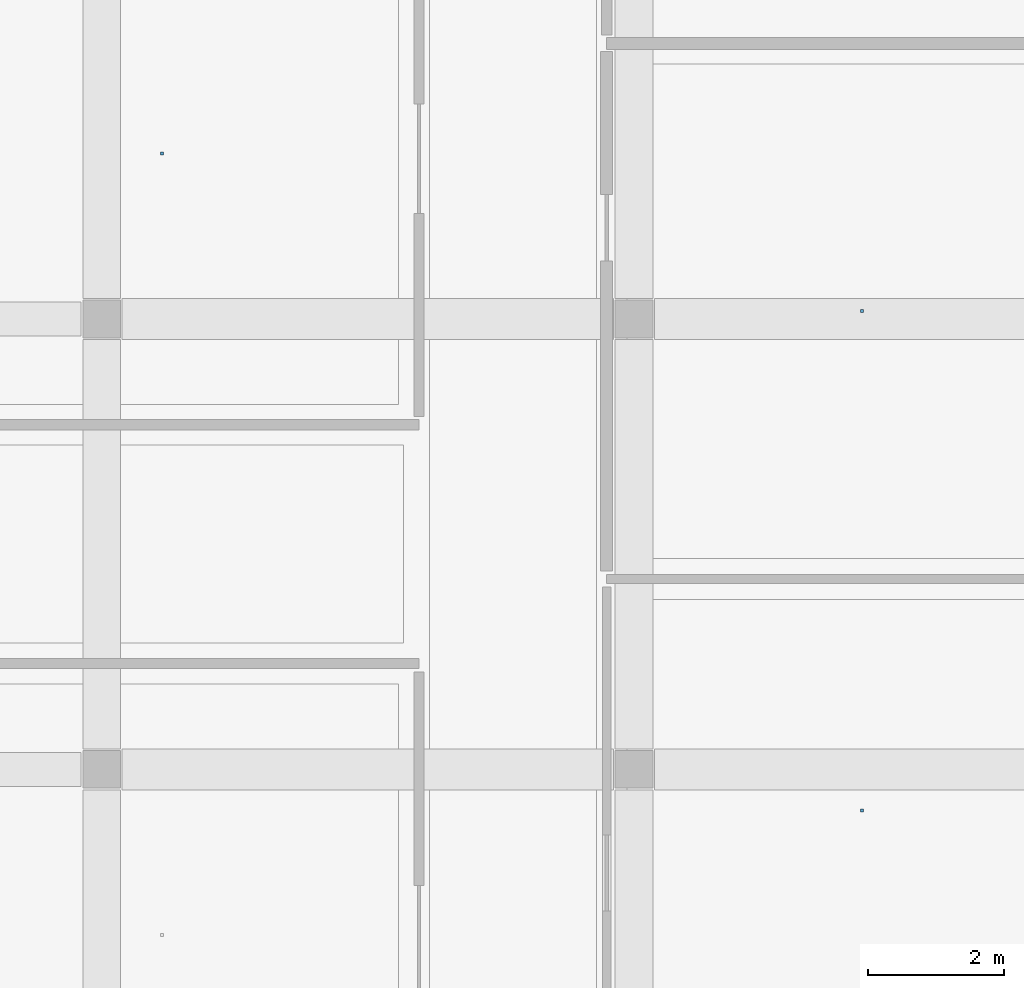
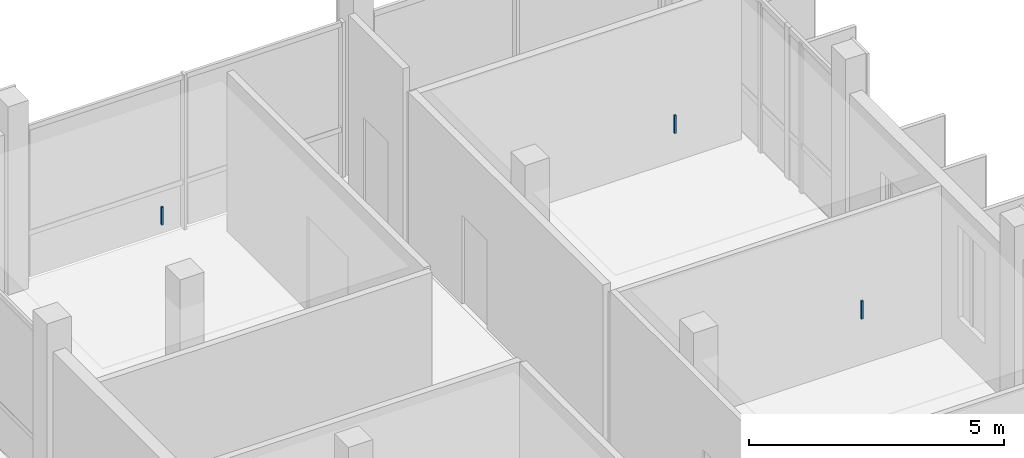
# One storey, part 81 of 95: 3 discrete accessories.
"""IFC4 building model written with IfcOpenShell, lengths in metres."""

from ifc_helpers import new_model, si_unit, derived_unit, direction, frame, origin, origin_2d, place, context, subcontext, project, spatial, rectangle, extrude, material, type_object, element, save


model = new_model("IFC4")

# Units and contexts
model_context = context("Model", 3, precision=1e-05, world=origin(), true_north=direction((0.0, 1.0)))
body_context = subcontext(model_context, "Body", "Model", "MODEL_VIEW")
ifc_project = project(units=[si_unit("LENGTHUNIT", "METRE"), si_unit("AREAUNIT", "SQUARE_METRE"), si_unit("VOLUMEUNIT", "CUBIC_METRE"), si_unit("PLANEANGLEUNIT", "RADIAN"), si_unit("MASSUNIT", "GRAM", prefix="KILO"), derived_unit("THERMALTRANSMITTANCEUNIT", [(si_unit("POWERUNIT", "WATT"), 1), (si_unit("LENGTHUNIT", "METRE"), -2), (si_unit("THERMODYNAMICTEMPERATUREUNIT", "KELVIN"), -1)])], contexts=[model_context])

# Site, building, storey
site_placement = place(None, origin())
site = spatial("IfcSite", under=ifc_project, at=site_placement, CompositionType="ELEMENT")
building_placement = place(site_placement, origin())
building = spatial("IfcBuilding", under=site, at=building_placement, Name="Braskholm Square Health Centre", CompositionType="ELEMENT")
storey_placement = place(building_placement, frame((0.0, 0.0, 4.800048828125)))
storey = spatial("IfcBuildingStorey", under=building, at=storey_placement, Name="L02", CompositionType="ELEMENT", Elevation=4.800048828125)

# Discrete accessories
ifc_material = material(Name="Steel ASTM A500 Grade C", Category="steel")
discrete_accessory_type = type_object("IfcDiscreteAccessoryType", Name="CeilingSuspensionBracket", PredefinedType="BRACKET", material=ifc_material)
for number, where, z_axis, x_axis, name in (
    (1, (159.93994140625, 99.800048828125, 3.7822265625), (0.0, 0.0, 1.0), (1.0, 0.0, 0.0), "Ceiling hanger bracket 0141"),
    (2, (159.93994140625, 107.114990234375, 3.7822265625), (0.0, 0.0, 1.0), (1.0, 0.0, 0.0), "Ceiling hanger bracket 0142"),
    (3, (149.68505859375, 109.425048828125, 3.7822265625), (0.0, 0.0, 1.0), (1.0, 0.0, 0.0), "Ceiling hanger bracket 0150"),
):
    element("IfcDiscreteAccessory", number, at=place(storey_placement, frame(where, z_axis=z_axis, x_axis=x_axis)), inside=storey, type_object=discrete_accessory_type, Name=name, PredefinedType="BRACKET", context=body_context, shape_type="SweptSolid", body=[
        extrude(rectangle(XDim=0.044921875, YDim=0.044921875, at=origin_2d()), origin(), (0.0, 0.0, 1.0), 0.429931640625),
    ])

save(model, "model.ifc")
